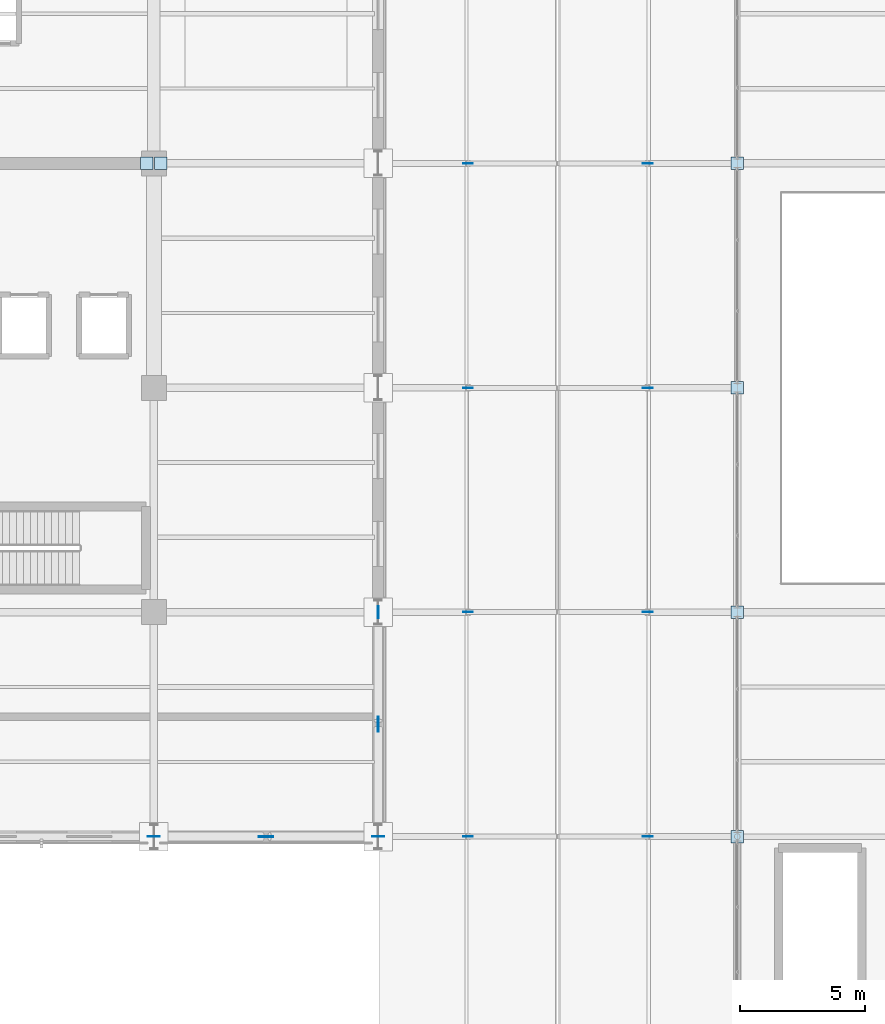
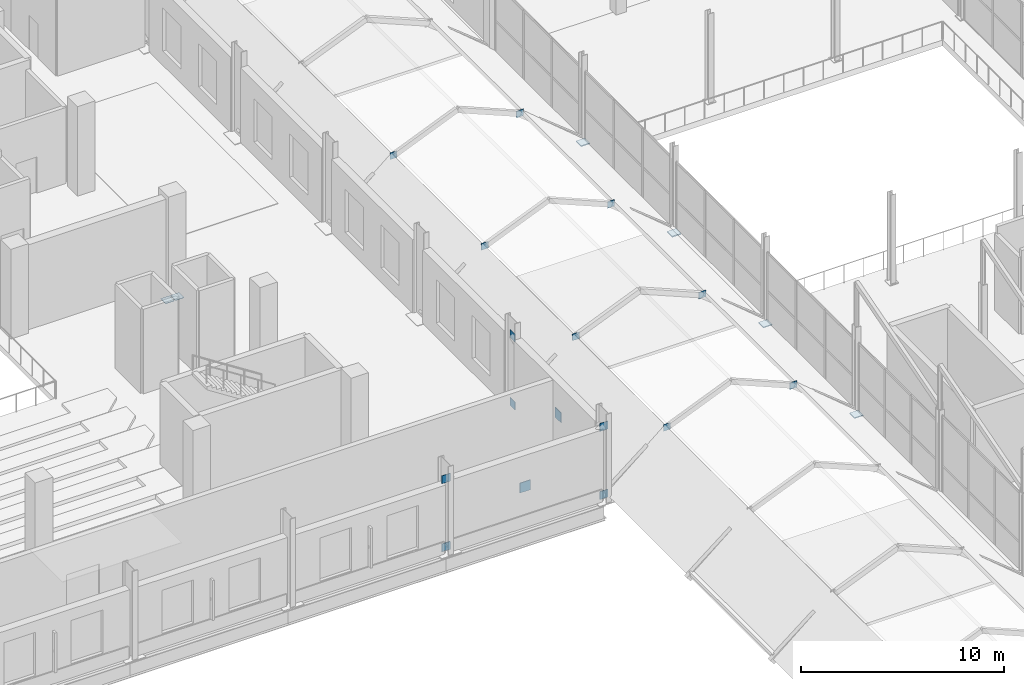
# One storey, part 110 of 141: 22 plates.
"""IFC4 building model written with IfcOpenShell, lengths in metres."""

from ifc_helpers import new_model, si_unit, direction, frame, origin, origin_2d, place, context, subcontext, project, spatial, rectangle, extrude, material, layer, layer_set, type_object, element, save


model = new_model("IFC4")

# Units and contexts
model_context = context("Model", 3, precision=1e-05, world=origin(), true_north=direction((0.0, 1.0)))
body_context = subcontext(model_context, "Body", "Model", "MODEL_VIEW")
ifc_project = project(units=[si_unit("LENGTHUNIT", "METRE"), si_unit("AREAUNIT", "SQUARE_METRE"), si_unit("VOLUMEUNIT", "CUBIC_METRE"), si_unit("PLANEANGLEUNIT", "RADIAN"), si_unit("MASSUNIT", "GRAM", prefix="KILO")], contexts=[model_context])

# Site, building, storey
site_placement = place(None, origin())
site = spatial("IfcSite", under=ifc_project, at=site_placement, CompositionType="ELEMENT")
building_placement = place(site_placement, origin())
building = spatial("IfcBuilding", under=site, at=building_placement, Name="Sundgate Opera House", CompositionType="ELEMENT")
storey_placement = place(building_placement, frame((0.0, 0.0, 11.39990234375)))
storey = spatial("IfcBuildingStorey", under=building, at=storey_placement, Name="L02", CompositionType="ELEMENT", Elevation=11.39990234375)

# Plates
ifc_material_1 = material(Name="Steel S355J2", Category="steel")
ifc_layer_1 = layer(ifc_material_1, 0.044921875)
ifc_layer_set_1 = layer_set([ifc_layer_1], Name="Steel S355J2")
plate_type_1 = type_object("IfcPlateType", Name="PT-BAS-45", PredefinedType="USERDEFINED", material=ifc_layer_set_1)
plate_1_placement = place(storey_placement, frame((95.39990234375, 33.0, 0.000244140625), z_axis=(0.0, 0.0, 1.0), x_axis=(1.0, 0.0, 0.0)))
element("IfcPlate", 1, at=plate_1_placement, inside=storey, type_object=plate_type_1, Name="L02 Base Plate PT0223", ObjectType="BASE PLATE", PredefinedType="USERDEFINED", context=body_context, shape_type="SweptSolid", body=[
    extrude(rectangle(XDim=0.5, YDim=0.5, at=origin_2d()), origin(), (0.0, 0.0, 1.0), 0.044921875),
])
ifc_material_2 = material(Name="Steel S355J2", Category="steel")
ifc_layer_2 = layer(ifc_material_2, 0.050048828125)
ifc_layer_set_2 = layer_set([ifc_layer_2], Name="Steel S355J2")
plate_type_2 = type_object("IfcPlateType", Name="PT-BAS-50", PredefinedType="USERDEFINED", material=ifc_layer_set_2)
plate_2_placement = place(storey_placement, frame((95.39990234375, 42.0, 0.0), z_axis=(0.0, 0.0, 1.0), x_axis=(1.0, 0.0, 0.0)))
element("IfcPlate", 2, at=plate_2_placement, inside=storey, type_object=plate_type_2, Name="L02 Base Plate PT0226", ObjectType="BASE PLATE", PredefinedType="USERDEFINED", context=body_context, shape_type="SweptSolid", body=[
    extrude(rectangle(XDim=0.5, YDim=0.5, at=origin_2d()), origin(), (0.0, 0.0, 1.0), 0.050048828125),
])
ifc_material_3 = material(Name="Steel S355J2", Category="steel")
ifc_layer_3 = layer(ifc_material_3, 0.06201171875)
ifc_layer_set_3 = layer_set([ifc_layer_3], Name="Steel S355J2")
plate_type_3 = type_object("IfcPlateType", Name="PT-BAS-62", PredefinedType="USERDEFINED", material=ifc_layer_set_3)
plate_3_placement = place(storey_placement, frame((95.39990234375, 60.0, 0.0), z_axis=(0.0, 0.0, 1.0), x_axis=(1.0, 0.0, 0.0)))
element("IfcPlate", 3, at=plate_3_placement, inside=storey, type_object=plate_type_3, Name="L02 Base Plate PT0232", ObjectType="BASE PLATE", PredefinedType="USERDEFINED", context=body_context, shape_type="SweptSolid", body=[
    extrude(rectangle(XDim=0.5, YDim=0.5, at=origin_2d()), origin(), (0.0, 0.0, 1.0), 0.06201171875),
])
ifc_material_4 = material(Name="Steel S355J2", Category="steel")
ifc_layer_4 = layer(ifc_material_4, 0.068115234375)
ifc_layer_set_4 = layer_set([ifc_layer_4], Name="Steel S355J2")
plate_type_4 = type_object("IfcPlateType", Name="PT-BAS-68", PredefinedType="USERDEFINED", material=ifc_layer_set_4)
plate_4_placement = place(storey_placement, frame((95.39990234375, 51.0, 0.0), z_axis=(0.0, 0.0, 1.0), x_axis=(1.0, 0.0, 0.0)))
element("IfcPlate", 4, at=plate_4_placement, inside=storey, type_object=plate_type_4, Name="L02 Base Plate PT0229", ObjectType="BASE PLATE", PredefinedType="USERDEFINED", context=body_context, shape_type="SweptSolid", body=[
    extrude(rectangle(XDim=0.5, YDim=0.5, at=origin_2d()), origin(), (0.0, 0.0, 1.0), 0.068115234375),
])
ifc_material_5 = material(Name="Steel S355J2", Category="steel")
ifc_layer_5 = layer(ifc_material_5, 0.02490234375)
ifc_layer_set_5 = layer_set([ifc_layer_5], Name="Steel S355J2")
plate_type_5 = type_object("IfcPlateType", Name="PT-EMB-25", PredefinedType="USERDEFINED", material=ifc_layer_set_5)
for number, where, z_axis, x_axis, name in (
    (5, (71.719970703125, 60.0, -1.1748046875), (0.0, 0.0, 1.0), (1.0, 0.0, 0.0), "L02 Outrigger Core Wall Cast-In Embedment Plate PT0456"),
    (6, (72.280029296875, 60.0, -1.1748046875), (0.0, 0.0, 1.0), (1.0, 0.0, 0.0), "L02 Outrigger Core Wall Cast-In Embedment Plate PT0457"),
):
    element("IfcPlate", number, at=place(storey_placement, frame(where, z_axis=z_axis, x_axis=x_axis)), inside=storey, type_object=plate_type_5, Name=name, ObjectType="BASE PLATE", PredefinedType="USERDEFINED", context=body_context, shape_type="SweptSolid", body=[
        extrude(rectangle(XDim=0.5, YDim=0.5, at=origin_2d()), origin(), (0.0, 0.0, 1.0), 0.02490234375),
    ])
ifc_material_6 = material(Name="Steel S355J2", Category="steel")
ifc_layer_6 = layer(ifc_material_6, 0.02197265625)
ifc_layer_set_6 = layer_set([ifc_layer_6], Name="Steel S355J2")
plate_type_6 = type_object("IfcPlateType", Name="PT-GUS-22", PredefinedType="USERDEFINED", material=ifc_layer_set_6)
for number, where, z_axis, x_axis, name in (
    (7, (84.60009765625, 33.0, 2.85009765625), (0.0, 0.0, 1.0), (1.0, 0.0, 0.0), "Passage Strut Top Gusset"),
    (8, (91.800048828125, 33.0, 2.85009765625), (0.0, 0.0, 1.0), (1.0, 0.0, 0.0), "Passage Strut Top Gusset"),
    (9, (84.60009765625, 42.0, 2.85009765625), (0.0, 0.0, 1.0), (1.0, 0.0, 0.0), "Passage Strut Top Gusset"),
    (10, (91.800048828125, 42.0, 2.85009765625), (0.0, 0.0, 1.0), (1.0, 0.0, 0.0), "Passage Strut Top Gusset"),
    (11, (84.60009765625, 51.0, 2.85009765625), (0.0, 0.0, 1.0), (1.0, 0.0, 0.0), "Passage Strut Top Gusset"),
    (12, (91.800048828125, 51.0, 2.85009765625), (0.0, 0.0, 1.0), (1.0, 0.0, 0.0), "Passage Strut Top Gusset"),
    (13, (84.60009765625, 60.0, 2.85009765625), (0.0, 0.0, 1.0), (1.0, 0.0, 0.0), "Passage Strut Top Gusset"),
    (14, (91.800048828125, 60.0, 2.85009765625), (0.0, 0.0, 1.0), (1.0, 0.0, 0.0), "Passage Strut Top Gusset"),
):
    element("IfcPlate", number, at=place(storey_placement, frame(where, z_axis=z_axis, x_axis=x_axis)), inside=storey, type_object=plate_type_6, Name=name, ObjectType="GUSSET PLATE", PredefinedType="USERDEFINED", context=body_context, shape_type="SweptSolid", body=[
        extrude(rectangle(XDim=0.39990234375, YDim=0.02197265625, at=origin_2d()), origin(), (0.0, 0.0, 1.0), 0.39990234375),
    ])
ifc_material_7 = material(Name="Steel S355J2", Category="steel")
ifc_layer_7 = layer(ifc_material_7, 0.028076171875)
ifc_layer_set_7 = layer_set([ifc_layer_7], Name="Steel S355J2")
plate_type_7 = type_object("IfcPlateType", Name="PT-GUS-28", PredefinedType="USERDEFINED", material=ifc_layer_set_7)
for number, where, z_axis, x_axis, name in (
    (15, (72.0, 33.0, 0.010009765625), (0.0, 0.0, 1.0), (1.0, 0.0, 0.0), "L02 Belt-Truss End Gusset"),
    (16, (81.0, 33.0, 4.110107421875), (0.0, 0.0, 1.0), (1.0, 0.0, 0.0), "L02 Belt-Truss End Gusset"),
    (17, (81.0, 33.0, 0.010009765625), (0.0, 0.0, 1.0), (1.0, 0.0, 0.0), "L02 Belt-Truss End Gusset"),
    (18, (72.0, 33.0, 4.110107421875), (0.0, 0.0, 1.0), (1.0, 0.0, 0.0), "L02 Belt-Truss End Gusset"),
):
    element("IfcPlate", number, at=place(storey_placement, frame(where, z_axis=z_axis, x_axis=x_axis)), inside=storey, type_object=plate_type_7, Name=name, ObjectType="GUSSET PLATE", PredefinedType="USERDEFINED", context=body_context, shape_type="SweptSolid", body=[
        extrude(rectangle(XDim=0.47998046875, YDim=0.028076171875, at=origin_2d()), origin(), (0.0, 0.0, 1.0), 0.47998046875),
    ])
for number, where, z_axis, x_axis, name in (
    (19, (81.0, 42.0, 4.110107421875), (0.0, 0.0, 1.0), (1.0, 0.0, 0.0), "L02 Belt-Truss End Gusset"),
    (20, (81.0, 42.0, 0.010009765625), (0.0, 0.0, 1.0), (1.0, 0.0, 0.0), "L02 Belt-Truss End Gusset"),
):
    element("IfcPlate", number, at=place(storey_placement, frame(where, z_axis=z_axis, x_axis=x_axis)), inside=storey, type_object=plate_type_7, Name=name, ObjectType="GUSSET PLATE", PredefinedType="USERDEFINED", context=body_context, shape_type="SweptSolid", body=[
        extrude(rectangle(XDim=0.028076171875, YDim=0.47998046875, at=origin_2d()), origin(), (0.0, 0.0, 1.0), 0.47998046875),
    ])
ifc_material_8 = material(Name="Steel S355J2", Category="steel")
ifc_layer_8 = layer(ifc_material_8, 0.031982421875)
ifc_layer_set_8 = layer_set([ifc_layer_8], Name="Steel S355J2")
plate_type_8 = type_object("IfcPlateType", Name="PT-GUS-32", PredefinedType="USERDEFINED", material=ifc_layer_set_8)
plate_5_placement = place(storey_placement, frame((76.5, 33.0, 2.0), z_axis=(0.0, 0.0, 1.0), x_axis=(1.0, 0.0, 0.0)))
element("IfcPlate", 21, at=plate_5_placement, inside=storey, type_object=plate_type_8, Name="L02 Belt-Truss Central Crossing Gusset", ObjectType="GUSSET PLATE", PredefinedType="USERDEFINED", context=body_context, shape_type="SweptSolid", body=[
    extrude(rectangle(XDim=0.60009765625, YDim=0.031982421875, at=origin_2d()), origin(), (0.0, 0.0, 1.0), 0.60009765625),
])
plate_6_placement = place(storey_placement, frame((81.0, 37.5, 2.0), z_axis=(0.0, 0.0, 1.0), x_axis=(1.0, 0.0, 0.0)))
element("IfcPlate", 22, at=plate_6_placement, inside=storey, type_object=plate_type_8, Name="L02 Belt-Truss Central Crossing Gusset", ObjectType="GUSSET PLATE", PredefinedType="USERDEFINED", context=body_context, shape_type="SweptSolid", body=[
    extrude(rectangle(XDim=0.031982421875, YDim=0.60009765625, at=origin_2d()), origin(), (0.0, 0.0, 1.0), 0.60009765625),
])

save(model, "model.ifc")
